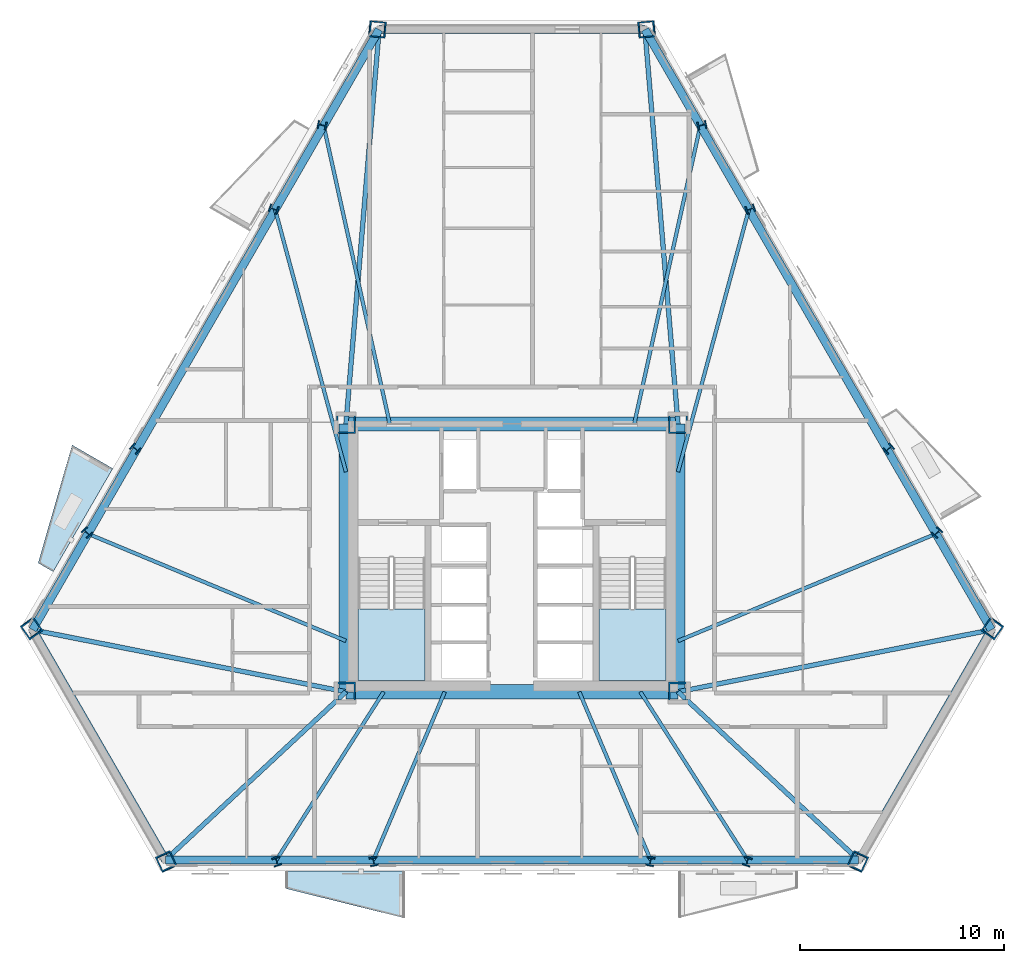
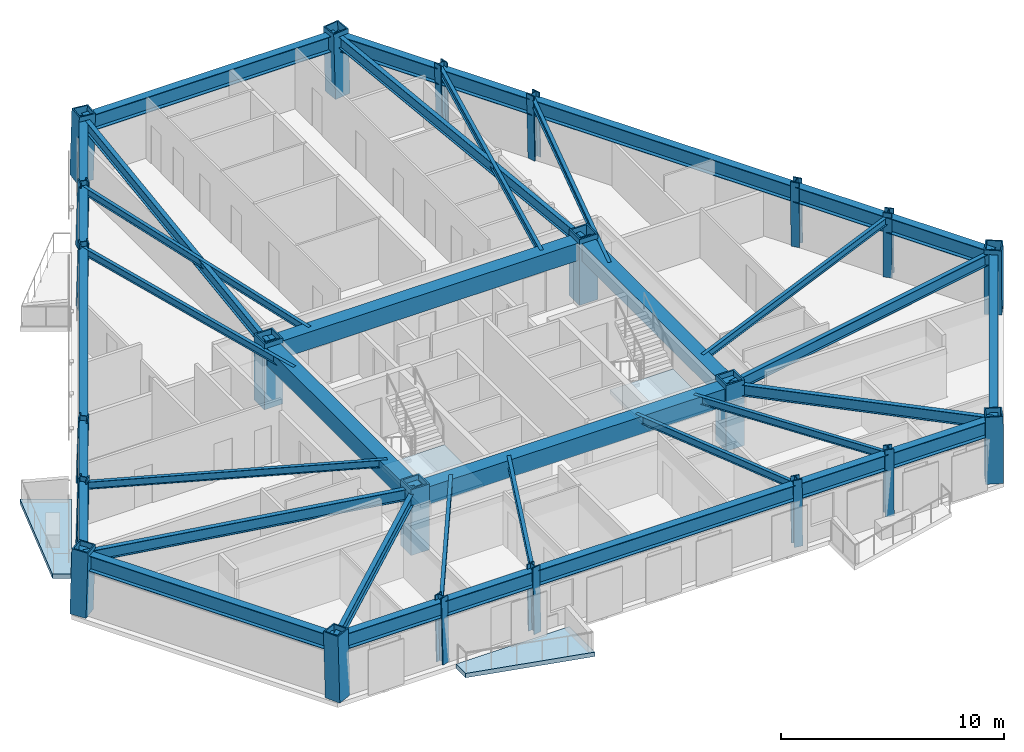
# One storey, part 1 of 10: 38 beams, 22 columns, 4 slabs, 2 elements without a shape of their own.
"""IFC4 building model written with IfcOpenShell, lengths in metres."""

from ifc_helpers import new_model, si_unit, direction, frame, origin, origin_2d, place, context, subcontext, project, spatial, polyline, rectangle, hollow_rectangle, i_section, outline, extrude, material, layer, layer_set, material_profile, profile_set, type_object, element, aggregate, save


model = new_model("IFC4")

# Units and contexts
model_context = context("Model", 3, precision=1e-05, world=origin(), true_north=direction((0.0, 1.0)))
body_context = subcontext(model_context, "Body", "Model", "MODEL_VIEW")
ifc_project = project(units=[si_unit("LENGTHUNIT", "METRE"), si_unit("AREAUNIT", "SQUARE_METRE"), si_unit("VOLUMEUNIT", "CUBIC_METRE"), si_unit("PLANEANGLEUNIT", "RADIAN"), si_unit("MASSUNIT", "GRAM", prefix="KILO")], contexts=[model_context])

# Site, building, storey
site_placement = place(None, origin())
site = spatial("IfcSite", under=ifc_project, at=site_placement, CompositionType="ELEMENT")
building_placement = place(site_placement, origin())
building = spatial("IfcBuilding", under=site, at=building_placement, Name="Oramaril Tower", CompositionType="ELEMENT")
storey_placement = place(building_placement, frame((0.0, 0.0, 74.10009765625)))
storey = spatial("IfcBuildingStorey", under=building, at=storey_placement, Name="L19", CompositionType="ELEMENT", Elevation=74.10009765625)

# Columns
ifc_material_1 = material(Name="Steel ASTM A572 Gr 50", Category="steel")
ifc_material_profile_1 = material_profile(ifc_material_1, hollow_rectangle(XDim=0.949951171875, YDim=0.949951171875, WallThickness=0.080078125, at=origin_2d()), Name="BOX950X950X80")
ifc_profile_set_1 = profile_set([ifc_material_profile_1], Name="Steel ASTM A572 Gr 50")
column_type_1 = type_object("IfcColumnType", Name="CT-CC2", PredefinedType="COLUMN", material=ifc_profile_set_1)
for number, where, z_axis, x_axis, name in (
    (1, (29.35009765625, 11.0, 0.0), (0.0, 0.0, 1.0), (1.0, 0.0, 0.0), "L19 Core Column CC-1"),
    (2, (45.64990234375, 11.0, 0.0), (0.0, 0.0, 1.0), (1.0, 0.0, 0.0), "L19 Core Column CC-2"),
    (3, (45.64990234375, 24.14990234375, 0.0), (0.0, 0.0, 1.0), (1.0, 0.0, 0.0), "L19 Core Column CC-3"),
    (4, (29.35009765625, 24.14990234375, 0.0), (0.0, 0.0, 1.0), (1.0, 0.0, 0.0), "L19 Core Column CC-4"),
):
    element("IfcColumn", number, at=place(storey_placement, frame(where, z_axis=z_axis, x_axis=x_axis)), inside=storey, type_object=column_type_1, Name=name, PredefinedType="COLUMN", context=body_context, shape_type="SweptSolid", body=[
        extrude(hollow_rectangle(XDim=0.949951171875, YDim=0.949951171875, WallThickness=0.080078125, at=origin_2d()), origin(), (0.0, 0.0, 1.0), 3.599853515625),
    ])
ifc_material_2 = material(Name="Steel ASTM A572 Gr 50", Category="steel")
ifc_material_profile_2 = material_profile(ifc_material_2, hollow_rectangle(XDim=0.800048828125, YDim=0.800048828125, WallThickness=0.06494140625, at=origin_2d()), Name="BOX800X800X65")
ifc_profile_set_2 = profile_set([ifc_material_profile_2], Name="Steel ASTM A572 Gr 50")
column_type_2 = type_object("IfcColumnType", Name="CT-TC3", PredefinedType="COLUMN", material=ifc_profile_set_2)
for number, where, z_axis, x_axis, name in (
    (5, (13.9072265625, 14.127197265625, 0.00439453125), (0.016445842185, -0.023241644741, 0.999594597937), (0.816305840587, 0.577619922287, 0.0), "L19 Tube Column TC-01"),
    (6, (20.531005859375, 2.654296875, 0.00439453125), (-0.011960595678, 0.025891971327, 0.99959319224), (-0.907819857373, -0.419360354062, 0.0), "L19 Tube Column TC-02"),
    (7, (54.468994140625, 2.654296875, 0.00439453125), (0.011960595678, 0.025891971327, 0.99959319224), (-0.907819857373, 0.419360354062, 0.0), "L19 Tube Column TC-03"),
    (8, (61.0927734375, 14.127197265625, 0.00439453125), (-0.016445842185, -0.023241644741, 0.999594597937), (0.816305840587, -0.577619922287, 0.0), "L19 Tube Column TC-04"),
    (9, (44.123779296875, 43.518310546875, 0.00439453125), (-0.028338509418, -0.002582406134, 0.999595048038), (0.090751072182, -0.995873607893, 0.0), "L19 Tube Column TC-05"),
    (10, (30.876220703125, 43.518310546875, 0.00439453125), (0.028338509418, -0.002582406134, 0.999595048038), (0.090751072182, 0.995873607893, 0.0), "L19 Tube Column TC-06"),
):
    element("IfcColumn", number, at=place(storey_placement, frame(where, z_axis=z_axis, x_axis=x_axis)), inside=storey, type_object=column_type_2, Name=name, PredefinedType="COLUMN", context=body_context, shape_type="SweptSolid", body=[
        extrude(hollow_rectangle(XDim=0.800048828125, YDim=0.800048828125, WallThickness=0.06494140625, at=origin_2d()), origin(), (0.0, 0.0, 1.0), 3.592529296875),
    ])
ifc_material_3 = material(Name="Steel ASTM A572 Gr 50", Category="steel")
ifc_material_profile_3 = material_profile(ifc_material_3, i_section(OverallWidth=0.410888671875, OverallDepth=0.43408203125, WebThickness=0.035888671875, FlangeThickness=0.057373046875, at=origin_2d()), Name="W14X311")
ifc_profile_set_3 = profile_set([ifc_material_profile_3], Name="Steel ASTM A572 Gr 50")
column_type_3 = type_object("IfcColumnType", Name="CT-TF2", PredefinedType="COLUMN", material=ifc_profile_set_3)
for number, where, z_axis, x_axis, name in (
    (11, (25.961181640625, 2.654296875, 0.00439453125), (-0.008155263758, 0.025892962433, 0.999631455172), (-0.953809406067, -0.30041241136, 0.0), "L19 Tube Column TC-07"),
    (12, (30.71240234375, 2.654296875, 0.00439453125), (-0.004757341562, 0.025893530504, 0.999653386319), (-0.983537804244, -0.180702483719, 0.0), "L19 Tube Column TC-08"),
    (13, (44.28759765625, 2.654296875, 0.00439453125), (0.004757341562, 0.025893530504, 0.999653386319), (-0.983537804244, 0.180702483719, 0.0), "L19 Tube Column TC-09"),
    (14, (49.038818359375, 2.654296875, 0.00439453125), (0.008155263758, 0.025892962433, 0.999631455172), (-0.953809406067, 0.30041241136, 0.0), "L19 Tube Column TC-10"),
    (15, (58.377685546875, 18.829833984375, 0.00439453125), (-0.018281439961, -0.019912497801, 0.999634573924), (0.736632125496, -0.676293657879, 0.0), "L19 Tube Column TC-11"),
    (16, (56.002197265625, 22.944580078125, 0.00439453125), (-0.019980863356, -0.017058492185, 0.9996548269), (0.64929887635, -0.760533345206, 0.0), "L19 Tube Column TC-12"),
    (17, (49.214599609375, 34.700927734375, 0.00439453125), (-0.024806149318, -0.008767104828, 0.9996538365), (0.333225441727, -0.942847180081, 0.0), "L19 Tube Column TC-13"),
    (18, (46.8388671875, 38.81591796875, 0.00439453125), (-0.026436687648, -0.005912575387, 0.999633004156), (0.218258401472, -0.975891013478, 0.0), "L19 Tube Column TC-14"),
    (19, (28.1611328125, 38.81591796875, 0.00439453125), (0.026436687648, -0.005912575387, 0.999633004156), (0.218258401472, 0.975891013478, 0.0), "L19 Tube Column TC-15"),
    (20, (25.785400390625, 34.700927734375, 0.00439453125), (0.024806149318, -0.008767104828, 0.9996538365), (0.333225441727, 0.942847180081, 0.0), "L19 Tube Column TC-16"),
    (21, (18.997802734375, 22.944580078125, 0.00439453125), (0.019980863356, -0.017058492185, 0.9996548269), (0.64929887635, 0.760533345206, 0.0), "L19 Tube Column TC-17"),
    (22, (16.622314453125, 18.829833984375, 0.00439453125), (0.018281439961, -0.019912497801, 0.999634573924), (0.736632125496, 0.676293657879, 0.0), "L19 Tube Column TC-18"),
):
    element("IfcColumn", number, at=place(storey_placement, frame(where, z_axis=z_axis, x_axis=x_axis)), inside=storey, type_object=column_type_3, Name=name, PredefinedType="COLUMN", context=body_context, shape_type="SweptSolid", body=[
        extrude(i_section(OverallWidth=0.410888671875, OverallDepth=0.43408203125, WebThickness=0.035888671875, FlangeThickness=0.057373046875, at=origin_2d()), origin(), (0.0, 0.0, 1.0), 3.59228515625),
    ])

# Beams
ifc_material_4 = material(Name="Concrete C50/60", Category="concrete")
ifc_material_profile_4 = material_profile(ifc_material_4, rectangle(XDim=0.699951171875, YDim=0.949951171875, at=origin_2d()), Name="CB700X950")
ifc_profile_set_4 = profile_set([ifc_material_profile_4], Name="Concrete C50/60")
beam_type_1 = type_object("IfcBeamType", Name="BT-CB1", PredefinedType="BEAM", material=ifc_profile_set_4)
beam_1_placement = place(storey_placement, frame((29.35009765625, 11.0, 2.864990234375), z_axis=(1.0, 0.0, 0.0), x_axis=(0.0, 1.0, 0.0)))
element("IfcBeam", 23, at=beam_1_placement, inside=storey, type_object=beam_type_1, Name="L19 Core Header Beam CB-1", PredefinedType="BEAM", context=body_context, shape_type="SweptSolid", body=[
    extrude(rectangle(XDim=0.699951171875, YDim=0.949951171875, at=origin_2d()), origin(), (0.0, 0.0, 1.0), 16.2998046875),
])
beam_2_placement = place(storey_placement, frame((45.64990234375, 11.0, 2.864990234375), z_axis=(0.0, 1.0, 0.0), x_axis=(-1.0, 0.0, 0.0)))
element("IfcBeam", 24, at=beam_2_placement, inside=storey, type_object=beam_type_1, Name="L19 Core Header Beam CB-2", PredefinedType="BEAM", context=body_context, shape_type="SweptSolid", body=[
    extrude(rectangle(XDim=0.699951171875, YDim=0.949951171875, at=origin_2d()), origin(), (0.0, 0.0, 1.0), 13.14990234375),
])
beam_3_placement = place(storey_placement, frame((45.64990234375, 24.14990234375, 2.864990234375), z_axis=(-1.0, 0.0, 0.0), x_axis=(0.0, -1.0, 0.0)))
element("IfcBeam", 25, at=beam_3_placement, inside=storey, type_object=beam_type_1, Name="L19 Core Header Beam CB-3", PredefinedType="BEAM", context=body_context, shape_type="SweptSolid", body=[
    extrude(rectangle(XDim=0.699951171875, YDim=0.949951171875, at=origin_2d()), origin(), (0.0, 0.0, 1.0), 16.2998046875),
])
beam_4_placement = place(storey_placement, frame((29.35009765625, 24.14990234375, 2.864990234375), z_axis=(0.0, -1.0, 0.0), x_axis=(1.0, 0.0, 0.0)))
element("IfcBeam", 26, at=beam_4_placement, inside=storey, type_object=beam_type_1, Name="L19 Core Header Beam CB-4", PredefinedType="BEAM", context=body_context, shape_type="SweptSolid", body=[
    extrude(rectangle(XDim=0.699951171875, YDim=0.949951171875, at=origin_2d()), origin(), (0.0, 0.0, 1.0), 13.14990234375),
])
ifc_material_5 = material(Name="Steel ASTM A572 Gr 50", Category="steel")
ifc_material_profile_5 = material_profile(ifc_material_5, i_section(OverallWidth=0.22900390625, OverallDepth=0.612060546875, WebThickness=0.011962890625, FlangeThickness=0.01953125, at=origin_2d()), Name="W24X84")
ifc_profile_set_5 = profile_set([ifc_material_profile_5], Name="Steel ASTM A572 Gr 50")
beam_type_2 = type_object("IfcBeamType", Name="BT-FB1", PredefinedType="BEAM", material=ifc_profile_set_5)
beam_5_placement = place(storey_placement, frame((29.35009765625, 11.0, 3.033935546875), z_axis=(-0.980983953125, 0.194088855196, 0.0), x_axis=(-0.194088855196, -0.980983953125, 0.0)))
element("IfcBeam", 27, at=beam_5_placement, inside=storey, type_object=beam_type_2, Name="L19 Radial Primary Beam RB-01", PredefinedType="BEAM", context=body_context, shape_type="SweptSolid", body=[
    extrude(i_section(OverallWidth=0.22900390625, OverallDepth=0.612060546875, WebThickness=0.011962890625, FlangeThickness=0.01953125, at=origin_2d()), origin(), (0.0, 0.0, 1.0), 15.681884765625),
])
for number, where, z_axis, x_axis, name in (
    (28, (29.35009765625, 11.0, 3.033935546875), (-0.731819772919, -0.68149821714, 0.0), (0.68149821714, -0.731819772919, 0.0), "L19 Radial Primary Beam RB-02"),
    (29, (45.64990234375, 11.0, 3.033935546875), (0.731819772919, -0.68149821714, 0.0), (0.68149821714, 0.731819772919, 0.0), "L19 Radial Primary Beam RB-03"),
):
    element("IfcBeam", number, at=place(storey_placement, frame(where, z_axis=z_axis, x_axis=x_axis)), inside=storey, type_object=beam_type_2, Name=name, PredefinedType="BEAM", context=body_context, shape_type="SweptSolid", body=[
        extrude(i_section(OverallWidth=0.22900390625, OverallDepth=0.612060546875, WebThickness=0.011962890625, FlangeThickness=0.01953125, at=origin_2d()), origin(), (0.0, 0.0, 1.0), 12.109619140625),
    ])
beam_6_placement = place(storey_placement, frame((45.64990234375, 11.0, 3.033935546875), z_axis=(0.980983953125, 0.194088855196, 0.0), x_axis=(-0.194088855196, 0.980983953125, 0.0)))
element("IfcBeam", 30, at=beam_6_placement, inside=storey, type_object=beam_type_2, Name="L19 Radial Primary Beam RB-04", PredefinedType="BEAM", context=body_context, shape_type="SweptSolid", body=[
    extrude(i_section(OverallWidth=0.22900390625, OverallDepth=0.612060546875, WebThickness=0.011962890625, FlangeThickness=0.01953125, at=origin_2d()), origin(), (0.0, 0.0, 1.0), 15.681884765625),
])
for number, where, z_axis, x_axis, name in (
    (31, (45.64990234375, 24.14990234375, 3.033935546875), (-0.083795303234, 0.996482988894, 0.0), (-0.996482988894, -0.083795303234, 0.0), "L19 Radial Primary Beam RB-05"),
    (32, (29.35009765625, 24.14990234375, 3.033935546875), (0.083795303234, 0.996482988894, 0.0), (-0.996482988894, 0.083795303234, 0.0), "L19 Radial Primary Beam RB-06"),
):
    element("IfcBeam", number, at=place(storey_placement, frame(where, z_axis=z_axis, x_axis=x_axis)), inside=storey, type_object=beam_type_2, Name=name, PredefinedType="BEAM", context=body_context, shape_type="SweptSolid", body=[
        extrude(i_section(OverallWidth=0.22900390625, OverallDepth=0.612060546875, WebThickness=0.011962890625, FlangeThickness=0.01953125, at=origin_2d()), origin(), (0.0, 0.0, 1.0), 19.427490234375),
    ])
ifc_material_6 = material(Name="Steel ASTM A572 Gr 50", Category="steel")
ifc_material_profile_6 = material_profile(ifc_material_6, i_section(OverallWidth=0.177978515625, OverallDepth=0.404052734375, WebThickness=0.007568359375, FlangeThickness=0.010986328125, at=origin_2d()), Name="W16X36")
ifc_profile_set_6 = profile_set([ifc_material_profile_6], Name="Steel ASTM A572 Gr 50")
beam_type_3 = type_object("IfcBeamType", Name="BT-SB1", PredefinedType="BEAM", material=ifc_profile_set_6)
beam_7_placement = place(storey_placement, frame((31.199951171875, 11.0, 3.137939453125), z_axis=(-0.538064101881, -0.842903922323, 0.0), x_axis=(0.842903922323, -0.538064101881, 0.0)))
element("IfcBeam", 33, at=beam_7_placement, inside=storey, type_object=beam_type_3, Name="L19 Secondary Floor Beam SB-01", PredefinedType="BEAM", context=body_context, shape_type="SweptSolid", body=[
    extrude(i_section(OverallWidth=0.177978515625, OverallDepth=0.404052734375, WebThickness=0.007568359375, FlangeThickness=0.010986328125, at=origin_2d()), origin(), (0.0, 0.0, 1.0), 9.790771484375),
])
for number, where, z_axis, x_axis, name in (
    (34, (34.199951171875, 11.0, 3.137939453125), (-0.390880581548, -0.920441400073, 0.0), (0.920441400073, -0.390880581548, 0.0), "L19 Secondary Floor Beam SB-02"),
    (35, (40.800048828125, 11.0, 3.137939453125), (0.390880581548, -0.920441400073, 0.0), (0.920441400073, 0.390880581548, 0.0), "L19 Secondary Floor Beam SB-03"),
):
    element("IfcBeam", number, at=place(storey_placement, frame(where, z_axis=z_axis, x_axis=x_axis)), inside=storey, type_object=beam_type_3, Name=name, PredefinedType="BEAM", context=body_context, shape_type="SweptSolid", body=[
        extrude(i_section(OverallWidth=0.177978515625, OverallDepth=0.404052734375, WebThickness=0.007568359375, FlangeThickness=0.010986328125, at=origin_2d()), origin(), (0.0, 0.0, 1.0), 8.966064453125),
    ])
beam_8_placement = place(storey_placement, frame((43.800048828125, 11.0, 3.137939453125), z_axis=(0.538064101881, -0.842903922323, 0.0), x_axis=(0.842903922323, 0.538064101881, 0.0)))
element("IfcBeam", 36, at=beam_8_placement, inside=storey, type_object=beam_type_3, Name="L19 Secondary Floor Beam SB-04", PredefinedType="BEAM", context=body_context, shape_type="SweptSolid", body=[
    extrude(i_section(OverallWidth=0.177978515625, OverallDepth=0.404052734375, WebThickness=0.007568359375, FlangeThickness=0.010986328125, at=origin_2d()), origin(), (0.0, 0.0, 1.0), 9.790771484375),
])
beam_9_placement = place(storey_placement, frame((45.64990234375, 13.5, 3.137939453125), z_axis=(0.923531456182, 0.383522684391, 0.0), x_axis=(-0.383522684391, 0.923531456182, 0.0)))
element("IfcBeam", 37, at=beam_9_placement, inside=storey, type_object=beam_type_3, Name="L19 Secondary Floor Beam SB-05", PredefinedType="BEAM", context=body_context, shape_type="SweptSolid", body=[
    extrude(i_section(OverallWidth=0.177978515625, OverallDepth=0.404052734375, WebThickness=0.007568359375, FlangeThickness=0.010986328125, at=origin_2d()), origin(), (0.0, 0.0, 1.0), 13.71044921875),
])
beam_10_placement = place(storey_placement, frame((45.64990234375, 21.800048828125, 3.137939453125), z_axis=(0.260725426457, 0.965412995561, 0.0), x_axis=(-0.965412995561, 0.260725426457, 0.0)))
element("IfcBeam", 38, at=beam_10_placement, inside=storey, type_object=beam_type_3, Name="L19 Secondary Floor Beam SB-06", PredefinedType="BEAM", context=body_context, shape_type="SweptSolid", body=[
    extrude(i_section(OverallWidth=0.177978515625, OverallDepth=0.404052734375, WebThickness=0.007568359375, FlangeThickness=0.010986328125, at=origin_2d()), origin(), (0.0, 0.0, 1.0), 13.33056640625),
])
for number, where, z_axis, x_axis, name in (
    (39, (43.5, 24.14990234375, 3.137939453125), (0.21626346105, 0.976335042603, 0.0), (-0.976335042603, 0.21626346105, 0.0), "L19 Secondary Floor Beam SB-07"),
    (40, (31.5, 24.14990234375, 3.137939453125), (-0.21626346105, 0.976335042603, 0.0), (-0.976335042603, -0.21626346105, 0.0), "L19 Secondary Floor Beam SB-08"),
):
    element("IfcBeam", number, at=place(storey_placement, frame(where, z_axis=z_axis, x_axis=x_axis)), inside=storey, type_object=beam_type_3, Name=name, PredefinedType="BEAM", context=body_context, shape_type="SweptSolid", body=[
        extrude(i_section(OverallWidth=0.177978515625, OverallDepth=0.404052734375, WebThickness=0.007568359375, FlangeThickness=0.010986328125, at=origin_2d()), origin(), (0.0, 0.0, 1.0), 14.999755859375),
    ])
beam_11_placement = place(storey_placement, frame((29.35009765625, 21.800048828125, 3.137939453125), z_axis=(-0.260725426457, 0.965412995561, 0.0), x_axis=(-0.965412995561, -0.260725426457, 0.0)))
element("IfcBeam", 41, at=beam_11_placement, inside=storey, type_object=beam_type_3, Name="L19 Secondary Floor Beam SB-09", PredefinedType="BEAM", context=body_context, shape_type="SweptSolid", body=[
    extrude(i_section(OverallWidth=0.177978515625, OverallDepth=0.404052734375, WebThickness=0.007568359375, FlangeThickness=0.010986328125, at=origin_2d()), origin(), (0.0, 0.0, 1.0), 13.33056640625),
])
beam_12_placement = place(storey_placement, frame((29.35009765625, 13.5, 3.137939453125), z_axis=(-0.923531456182, 0.383522684391, 0.0), x_axis=(-0.383522684391, -0.923531456182, 0.0)))
element("IfcBeam", 42, at=beam_12_placement, inside=storey, type_object=beam_type_3, Name="L19 Secondary Floor Beam SB-10", PredefinedType="BEAM", context=body_context, shape_type="SweptSolid", body=[
    extrude(i_section(OverallWidth=0.177978515625, OverallDepth=0.404052734375, WebThickness=0.007568359375, FlangeThickness=0.010986328125, at=origin_2d()), origin(), (0.0, 0.0, 1.0), 13.71044921875),
])
ifc_material_7 = material(Name="Steel ASTM A572 Gr 50", Category="steel")
ifc_material_profile_7 = material_profile(ifc_material_7, i_section(OverallWidth=0.40087890625, OverallDepth=0.85595703125, WebThickness=0.018310546875, FlangeThickness=0.029296875, at=origin_2d()), Name="W33X201")
ifc_profile_set_7 = profile_set([ifc_material_profile_7], Name="Steel ASTM A572 Gr 50")
beam_type_4 = type_object("IfcBeamType", Name="BT-SP1", PredefinedType="SPANDREL", material=ifc_profile_set_7)
beam_13_placement = place(storey_placement, frame((13.96630859375, 14.043701171875, 2.911865234375), z_axis=(0.499986004958, -0.866033483675, 0.0), x_axis=(0.866033483675, 0.499986004958, 0.0)))
element("IfcBeam", 43, at=beam_13_placement, inside=storey, type_object=beam_type_4, Name="L19 Perimeter Spandrel 01", PredefinedType="SPANDREL", context=body_context, shape_type="SweptSolid", body=[
    extrude(i_section(OverallWidth=0.40087890625, OverallDepth=0.85595703125, WebThickness=0.018310546875, FlangeThickness=0.029296875, at=origin_2d()), origin(), (0.0, 0.0, 1.0), 13.043701171875),
])
beam_14_placement = place(storey_placement, frame((20.488037109375, 2.747314453125, 2.911865234375), z_axis=(1.0, 0.0, 0.0), x_axis=(0.0, 1.0, 0.0)))
element("IfcBeam", 44, at=beam_14_placement, inside=storey, type_object=beam_type_4, Name="L19 Perimeter Spandrel 02", PredefinedType="SPANDREL", context=body_context, shape_type="SweptSolid", body=[
    extrude(i_section(OverallWidth=0.40087890625, OverallDepth=0.85595703125, WebThickness=0.018310546875, FlangeThickness=0.029296875, at=origin_2d()), origin(), (0.0, 0.0, 1.0), 5.44384765625),
])
beam_15_placement = place(storey_placement, frame((25.931884765625, 2.747314453125, 2.911865234375), z_axis=(1.0, 0.0, 0.0), x_axis=(0.0, 1.0, 0.0)))
element("IfcBeam", 45, at=beam_15_placement, inside=storey, type_object=beam_type_4, Name="L19 Perimeter Spandrel 03", PredefinedType="SPANDREL", context=body_context, shape_type="SweptSolid", body=[
    extrude(i_section(OverallWidth=0.40087890625, OverallDepth=0.85595703125, WebThickness=0.018310546875, FlangeThickness=0.029296875, at=origin_2d()), origin(), (0.0, 0.0, 1.0), 4.763427734375),
])
beam_16_placement = place(storey_placement, frame((30.6953125, 2.747314453125, 2.911865234375), z_axis=(1.0, 0.0, 0.0), x_axis=(0.0, 1.0, 0.0)))
element("IfcBeam", 46, at=beam_16_placement, inside=storey, type_object=beam_type_4, Name="L19 Perimeter Spandrel 04", PredefinedType="SPANDREL", context=body_context, shape_type="SweptSolid", body=[
    extrude(i_section(OverallWidth=0.40087890625, OverallDepth=0.85595703125, WebThickness=0.018310546875, FlangeThickness=0.029296875, at=origin_2d()), origin(), (0.0, 0.0, 1.0), 13.609375),
])
beam_17_placement = place(storey_placement, frame((44.3046875, 2.747314453125, 2.911865234375), z_axis=(1.0, 0.0, 0.0), x_axis=(0.0, 1.0, 0.0)))
element("IfcBeam", 47, at=beam_17_placement, inside=storey, type_object=beam_type_4, Name="L19 Perimeter Spandrel 05", PredefinedType="SPANDREL", context=body_context, shape_type="SweptSolid", body=[
    extrude(i_section(OverallWidth=0.40087890625, OverallDepth=0.85595703125, WebThickness=0.018310546875, FlangeThickness=0.029296875, at=origin_2d()), origin(), (0.0, 0.0, 1.0), 4.763427734375),
])
beam_18_placement = place(storey_placement, frame((49.068115234375, 2.747314453125, 2.911865234375), z_axis=(1.0, 0.0, 0.0), x_axis=(0.0, 1.0, 0.0)))
element("IfcBeam", 48, at=beam_18_placement, inside=storey, type_object=beam_type_4, Name="L19 Perimeter Spandrel 06", PredefinedType="SPANDREL", context=body_context, shape_type="SweptSolid", body=[
    extrude(i_section(OverallWidth=0.40087890625, OverallDepth=0.85595703125, WebThickness=0.018310546875, FlangeThickness=0.029296875, at=origin_2d()), origin(), (0.0, 0.0, 1.0), 5.44384765625),
])
beam_19_placement = place(storey_placement, frame((54.511962890625, 2.747314453125, 2.911865234375), z_axis=(0.499986004958, 0.866033483675, 0.0), x_axis=(-0.866033483675, 0.499986004958, 0.0)))
element("IfcBeam", 49, at=beam_19_placement, inside=storey, type_object=beam_type_4, Name="L19 Perimeter Spandrel 07", PredefinedType="SPANDREL", context=body_context, shape_type="SweptSolid", body=[
    extrude(i_section(OverallWidth=0.40087890625, OverallDepth=0.85595703125, WebThickness=0.018310546875, FlangeThickness=0.029296875, at=origin_2d()), origin(), (0.0, 0.0, 1.0), 13.043701171875),
])
beam_20_placement = place(storey_placement, frame((61.03369140625, 14.043701171875, 2.911865234375), z_axis=(-0.499959265134, 0.866048920793, 0.0), x_axis=(-0.866048920793, -0.499959265134, 0.0)))
element("IfcBeam", 50, at=beam_20_placement, inside=storey, type_object=beam_type_4, Name="L19 Perimeter Spandrel 08", PredefinedType="SPANDREL", context=body_context, shape_type="SweptSolid", body=[
    extrude(i_section(OverallWidth=0.40087890625, OverallDepth=0.85595703125, WebThickness=0.018310546875, FlangeThickness=0.029296875, at=origin_2d()), origin(), (0.0, 0.0, 1.0), 5.44384765625),
])
beam_21_placement = place(storey_placement, frame((58.31201171875, 18.75830078125, 2.911865234375), z_axis=(-0.500003454086, 0.866023409558, 0.0), x_axis=(-0.866023409558, -0.500003454086, 0.0)))
element("IfcBeam", 51, at=beam_21_placement, inside=storey, type_object=beam_type_4, Name="L19 Perimeter Spandrel 09", PredefinedType="SPANDREL", context=body_context, shape_type="SweptSolid", body=[
    extrude(i_section(OverallWidth=0.40087890625, OverallDepth=0.85595703125, WebThickness=0.018310546875, FlangeThickness=0.029296875, at=origin_2d()), origin(), (0.0, 0.0, 1.0), 4.76318359375),
])
beam_22_placement = place(storey_placement, frame((55.930419921875, 22.88330078125, 2.911865234375), z_axis=(-0.500011280007, 0.866018891171, 0.0), x_axis=(-0.866018891171, -0.500011280007, 0.0)))
element("IfcBeam", 52, at=beam_22_placement, inside=storey, type_object=beam_type_4, Name="L19 Perimeter Spandrel 10", PredefinedType="SPANDREL", context=body_context, shape_type="SweptSolid", body=[
    extrude(i_section(OverallWidth=0.40087890625, OverallDepth=0.85595703125, WebThickness=0.018310546875, FlangeThickness=0.029296875, at=origin_2d()), origin(), (0.0, 0.0, 1.0), 13.609619140625),
])
beam_23_placement = place(storey_placement, frame((49.12548828125, 34.66943359375, 2.911865234375), z_axis=(-0.499981260254, 0.866036222912, 0.0), x_axis=(-0.866036222912, -0.499981260254, 0.0)))
element("IfcBeam", 53, at=beam_23_placement, inside=storey, type_object=beam_type_4, Name="L19 Perimeter Spandrel 11", PredefinedType="SPANDREL", context=body_context, shape_type="SweptSolid", body=[
    extrude(i_section(OverallWidth=0.40087890625, OverallDepth=0.85595703125, WebThickness=0.018310546875, FlangeThickness=0.029296875, at=origin_2d()), origin(), (0.0, 0.0, 1.0), 4.763427734375),
])
beam_24_placement = place(storey_placement, frame((46.743896484375, 38.794677734375, 2.911865234375), z_axis=(-0.50001232093, 0.866018290175, 0.0), x_axis=(-0.866018290175, -0.50001232093, 0.0)))
element("IfcBeam", 54, at=beam_24_placement, inside=storey, type_object=beam_type_4, Name="L19 Perimeter Spandrel 12", PredefinedType="SPANDREL", context=body_context, shape_type="SweptSolid", body=[
    extrude(i_section(OverallWidth=0.40087890625, OverallDepth=0.85595703125, WebThickness=0.018310546875, FlangeThickness=0.029296875, at=origin_2d()), origin(), (0.0, 0.0, 1.0), 5.443603515625),
])
beam_25_placement = place(storey_placement, frame((44.02197265625, 43.509033203125, 2.911865234375), z_axis=(-1.0, 0.0, 0.0), x_axis=(0.0, -1.0, 0.0)))
element("IfcBeam", 55, at=beam_25_placement, inside=storey, type_object=beam_type_4, Name="L19 Perimeter Spandrel 13", PredefinedType="SPANDREL", context=body_context, shape_type="SweptSolid", body=[
    extrude(i_section(OverallWidth=0.40087890625, OverallDepth=0.85595703125, WebThickness=0.018310546875, FlangeThickness=0.029296875, at=origin_2d()), origin(), (0.0, 0.0, 1.0), 13.0439453125),
])
beam_26_placement = place(storey_placement, frame((30.97802734375, 43.509033203125, 2.911865234375), z_axis=(-0.50001232093, -0.866018290175, 0.0), x_axis=(0.866018290175, -0.50001232093, 0.0)))
element("IfcBeam", 56, at=beam_26_placement, inside=storey, type_object=beam_type_4, Name="L19 Perimeter Spandrel 14", PredefinedType="SPANDREL", context=body_context, shape_type="SweptSolid", body=[
    extrude(i_section(OverallWidth=0.40087890625, OverallDepth=0.85595703125, WebThickness=0.018310546875, FlangeThickness=0.029296875, at=origin_2d()), origin(), (0.0, 0.0, 1.0), 5.443603515625),
])
beam_27_placement = place(storey_placement, frame((28.256103515625, 38.794677734375, 2.911865234375), z_axis=(-0.499981260254, -0.866036222912, 0.0), x_axis=(0.866036222912, -0.499981260254, 0.0)))
element("IfcBeam", 57, at=beam_27_placement, inside=storey, type_object=beam_type_4, Name="L19 Perimeter Spandrel 15", PredefinedType="SPANDREL", context=body_context, shape_type="SweptSolid", body=[
    extrude(i_section(OverallWidth=0.40087890625, OverallDepth=0.85595703125, WebThickness=0.018310546875, FlangeThickness=0.029296875, at=origin_2d()), origin(), (0.0, 0.0, 1.0), 4.763427734375),
])
beam_28_placement = place(storey_placement, frame((25.87451171875, 34.66943359375, 2.911865234375), z_axis=(-0.500011280007, -0.866018891171, 0.0), x_axis=(0.866018891171, -0.500011280007, 0.0)))
element("IfcBeam", 58, at=beam_28_placement, inside=storey, type_object=beam_type_4, Name="L19 Perimeter Spandrel 16", PredefinedType="SPANDREL", context=body_context, shape_type="SweptSolid", body=[
    extrude(i_section(OverallWidth=0.40087890625, OverallDepth=0.85595703125, WebThickness=0.018310546875, FlangeThickness=0.029296875, at=origin_2d()), origin(), (0.0, 0.0, 1.0), 13.609619140625),
])
beam_29_placement = place(storey_placement, frame((19.069580078125, 22.88330078125, 2.911865234375), z_axis=(-0.500003454086, -0.866023409558, 0.0), x_axis=(0.866023409558, -0.500003454086, 0.0)))
element("IfcBeam", 59, at=beam_29_placement, inside=storey, type_object=beam_type_4, Name="L19 Perimeter Spandrel 17", PredefinedType="SPANDREL", context=body_context, shape_type="SweptSolid", body=[
    extrude(i_section(OverallWidth=0.40087890625, OverallDepth=0.85595703125, WebThickness=0.018310546875, FlangeThickness=0.029296875, at=origin_2d()), origin(), (0.0, 0.0, 1.0), 4.76318359375),
])
beam_30_placement = place(storey_placement, frame((16.68798828125, 18.75830078125, 2.911865234375), z_axis=(-0.499959265134, -0.866048920793, 0.0), x_axis=(0.866048920793, -0.499959265134, 0.0)))
element("IfcBeam", 60, at=beam_30_placement, inside=storey, type_object=beam_type_4, Name="L19 Perimeter Spandrel 18", PredefinedType="SPANDREL", context=body_context, shape_type="SweptSolid", body=[
    extrude(i_section(OverallWidth=0.40087890625, OverallDepth=0.85595703125, WebThickness=0.018310546875, FlangeThickness=0.029296875, at=origin_2d()), origin(), (0.0, 0.0, 1.0), 5.44384765625),
])

# Slab
ifc_material_8 = material(Name="Concrete C40/50", Category="concrete")
ifc_layer_1 = layer(ifc_material_8, 0.199951171875)
ifc_layer_set_1 = layer_set([ifc_layer_1], Name="SLT-BAL20")
slab_type_1 = type_object("IfcSlabType", Name="SLT-BAL20", PredefinedType="FLOOR", material=ifc_layer_set_1)
slab_1_placement = place(storey_placement, frame((0.0, 0.0, -0.239990234375)))
element("IfcSlab", 61, at=slab_1_placement, inside=storey, type_object=slab_type_1, Name="L19 Cantilevered Balcony Slab L19-BAL-S1", PredefinedType="FLOOR", context=body_context, shape_type="SweptSolid", body=[
    extrude(outline(polyline([(26.390380859375, 2.1962890625), (32.240478515625, 2.1962890625), (32.240478515625, -0.105712890625), (26.390380859375, 1.344482421875), (26.390380859375, 2.1962890625)])), origin(), (0.0, 0.0, 1.0), 0.239990234375),
])

# Stair, slab
ifc_material_9 = material(Name="Concrete C50/60", Category="concrete")
stair_type = type_object("IfcStairType", Name="STT-DG-3600", PredefinedType="HALF_TURN_STAIR", material=ifc_material_9)
stair_1_placement = place(storey_placement, origin())
stair_1 = element("IfcStair", 62, at=stair_1_placement, inside=storey, type_object=stair_type, Name="L19 Protected PFP Exit Stair ST-1", PredefinedType="HALF_TURN_STAIR")
ifc_material_10 = material(Name="Concrete C50/60", Category="concrete")
ifc_layer_2 = layer(ifc_material_10, 0.199951171875)
ifc_layer_set_2 = layer_set([ifc_layer_2], Name="SLT-LND20")
slab_type_2 = type_object("IfcSlabType", Name="SLT-LND20", PredefinedType="LANDING", material=ifc_layer_set_2)
slab_2_placement = place(storey_placement, frame((0.0, 0.0, 1.599853515625)))
slab_2 = element("IfcSlab", 63, at=slab_2_placement, type_object=slab_type_2, Name="ST-1 landing 1", PredefinedType="LANDING", context=body_context, shape_type="SweptSolid", body=[
    extrude(outline(polyline([(29.949951171875, 15.070068359375), (29.949951171875, 11.550048828125), (33.219970703125, 11.550048828125), (33.219970703125, 15.070068359375), (29.949951171875, 15.070068359375)])), origin(), (0.0, 0.0, 1.0), 0.199951171875),
])
aggregate(stair_1, [slab_2])

stair_2_placement = place(storey_placement, origin())
stair_2 = element("IfcStair", 64, at=stair_2_placement, inside=storey, type_object=stair_type, Name="L19 Protected PFP Exit Stair ST-2", PredefinedType="HALF_TURN_STAIR")
slab_3_placement = place(storey_placement, frame((0.0, 0.0, 1.599853515625)))
slab_3 = element("IfcSlab", 65, at=slab_3_placement, type_object=slab_type_2, Name="ST-2 landing 1", PredefinedType="LANDING", context=body_context, shape_type="SweptSolid", body=[
    extrude(outline(polyline([(41.780029296875, 15.070068359375), (41.780029296875, 11.550048828125), (45.050048828125, 11.550048828125), (45.050048828125, 15.070068359375), (41.780029296875, 15.070068359375)])), origin(), (0.0, 0.0, 1.0), 0.199951171875),
])
aggregate(stair_2, [slab_3])

# Slab
ifc_material_11 = material(Name="Concrete C40/50", Category="concrete")
ifc_layer_3 = layer(ifc_material_11, 0.18994140625)
ifc_layer_set_3 = layer_set([ifc_layer_3], Name="SLT-PLN19")
slab_type_3 = type_object("IfcSlabType", Name="SLT-PLN19", PredefinedType="FLOOR", material=ifc_layer_set_3)
slab_4_placement = place(storey_placement, frame((0.0, 0.0, -0.239990234375)))
element("IfcSlab", 66, at=slab_4_placement, inside=storey, type_object=slab_type_3, Name="L19 Tree Planter Balcony Slab L19-BAL-NW2", PredefinedType="FLOOR", context=body_context, shape_type="SweptSolid", body=[
    extrude(outline(polyline([(17.902587890625, 21.963623046875), (14.977783203125, 16.8974609375), (14.239990234375, 17.323486328125), (15.9091796875, 23.11474609375), (17.902587890625, 21.963623046875)])), origin(), (0.0, 0.0, 1.0), 0.239990234375),
])

save(model, "model.ifc")
